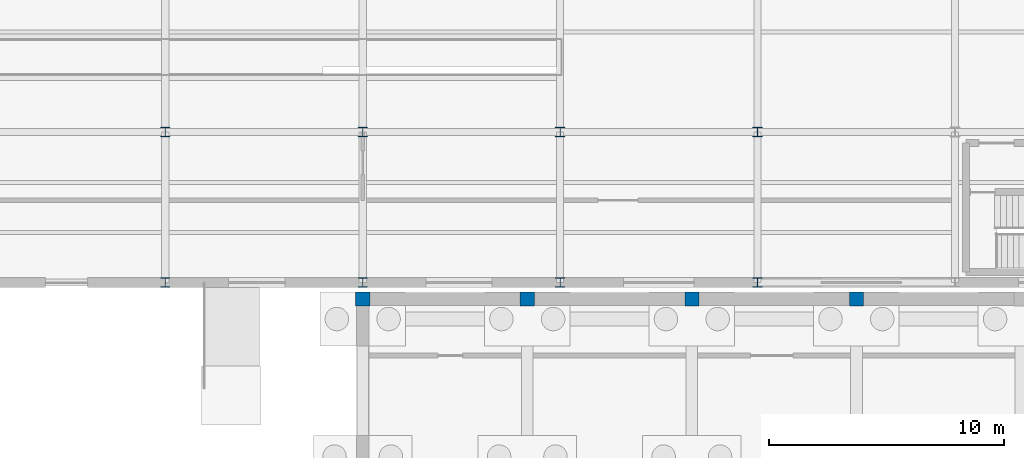
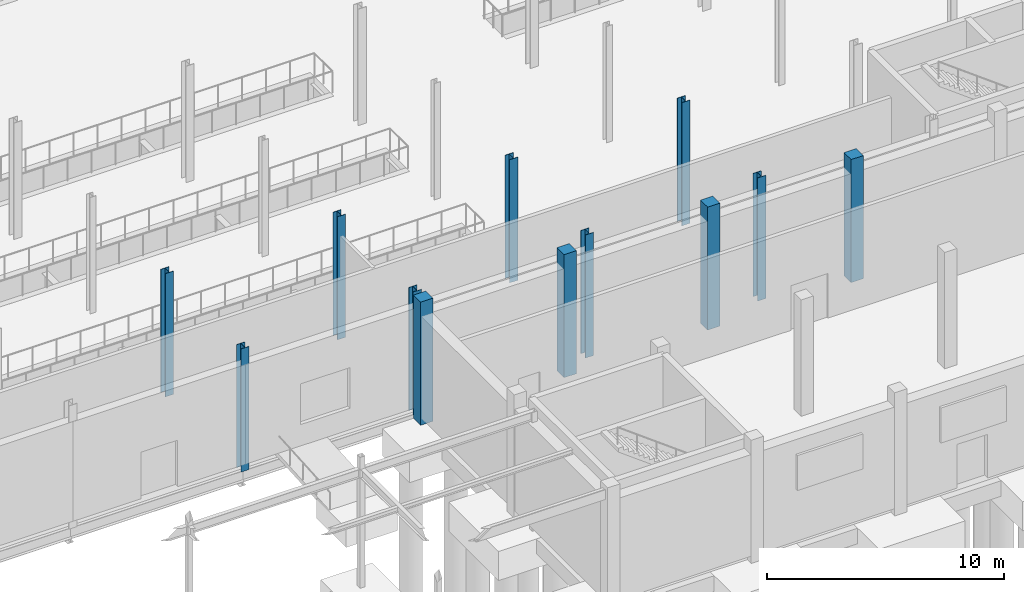
# One storey, part 18 of 139: 12 columns.
"""IFC4 building model written with IfcOpenShell, lengths in metres."""

import ifcopenshell
import ifcopenshell.guid

model = None  # the IFC model being written
_history = None  # IfcOwnerHistory: only IFC2X3 demands one
_inside = {}  # id of a spatial element -> (the spatial element, [elements in it])
_under = {}  # id of a project, library or spatial element -> (it, [spatial elements below it])
_declared = {}  # id of a project -> (the project, [libraries it declares])
_typed = {}  # id of a type object -> (the type object, [elements of that type])
_made_of = {}  # id of a material, layer set ... -> (it, [elements and type objects made of it])


def new_model(schema):
    """Start an empty IFC model of exactly this schema.

    Asked for "IFC4X3", IfcOpenShell would pick the latest addendum, in which some entities
    have other attributes; the version numbers below select the first issue.
    IFC2X3 requires an IfcOwnerHistory on every rooted entity: one is made here for all.
    """
    global model, _history
    if schema == "IFC4X3":
        model = ifcopenshell.file(schema_version=(4, 3, 0, 0))
    else:
        model = ifcopenshell.file(schema=schema)
    _inside.clear()
    _under.clear()
    _declared.clear()
    _typed.clear()
    _made_of.clear()
    _history = None
    if model.schema == "IFC2X3":
        org = make("IfcOrganization", Name="unknown")
        user = make(
            "IfcPersonAndOrganization",
            ThePerson=make("IfcPerson", FamilyName="unknown"),
            TheOrganization=org,
        )
        app = make(
            "IfcApplication",
            ApplicationDeveloper=org,
            Version="unknown",
            ApplicationFullName="unknown",
            ApplicationIdentifier="unknown",
        )
        _history = make(
            "IfcOwnerHistory",
            OwningUser=user,
            OwningApplication=app,
            ChangeAction="ADDED",
            CreationDate=0,
        )
    return model


def make(cls, **values):
    """One entity of the class cls with the attributes given. An attribute that is None is left unset."""
    return model.create_entity(
        cls, **{name: value for name, value in values.items() if value is not None}
    )


def rooted(cls, **values):
    """An entity with a GlobalId (a new one), such as an element, a storey or a relation."""
    return make(cls, GlobalId=ifcopenshell.guid.new(), OwnerHistory=_history, **values)


def si_unit(unit_type, name, prefix=None):
    """IfcSIUnit, for example si_unit("LENGTHUNIT", "METRE", prefix="MILLI")."""
    return make("IfcSIUnit", UnitType=unit_type, Prefix=prefix, Name=name)


def assignment(units):
    """IfcUnitAssignment: the units of a project."""
    return None if units is None else make("IfcUnitAssignment", Units=units)


def point(xyz):
    """IfcCartesianPoint."""
    return None if xyz is None else make("IfcCartesianPoint", Coordinates=xyz)


def direction(xyz):
    """IfcDirection."""
    return None if xyz is None else make("IfcDirection", DirectionRatios=xyz)


def frame(location, z_axis=None, x_axis=None):
    """IfcAxis2Placement3D, a coordinate frame: its origin and axes. An axis left out is left unset."""
    return make(
        "IfcAxis2Placement3D",
        Location=point(location),
        Axis=direction(z_axis),
        RefDirection=direction(x_axis),
    )


def frame_2d(location, x_axis=None):
    """IfcAxis2Placement2D, a coordinate frame in the plane: its origin and x axis."""
    return make(
        "IfcAxis2Placement2D", Location=point(location), RefDirection=direction(x_axis)
    )


def origin():
    """The frame at (0, 0, 0) with its axes left unset."""
    return frame((0.0, 0.0, 0.0))


def origin_2d():
    """The frame at (0, 0) in the plane with its x axis left unset."""
    return frame_2d((0.0, 0.0))


def place(relative_to, where):
    """IfcLocalPlacement: puts the frame where relative to a parent placement (None: the world)."""
    return make(
        "IfcLocalPlacement", PlacementRelTo=relative_to, RelativePlacement=where
    )


def context(
    kind, dimensions, precision=None, world=None, true_north=None, identifier=None
):
    """IfcGeometricRepresentationContext, for example the 3D "Model" context."""
    return make(
        "IfcGeometricRepresentationContext",
        ContextIdentifier=identifier,
        ContextType=kind,
        CoordinateSpaceDimension=dimensions,
        Precision=precision,
        WorldCoordinateSystem=world,
        TrueNorth=true_north,
    )


def subcontext(parent, identifier, kind, view, scale=None):
    """IfcGeometricRepresentationSubContext, for example "Body" below "Model"."""
    return make(
        "IfcGeometricRepresentationSubContext",
        ContextIdentifier=identifier,
        ContextType=kind,
        ParentContext=parent,
        TargetScale=scale,
        TargetView=view,
    )


def project(units=None, contexts=None):
    """IfcProject with its units and contexts."""
    return rooted(
        "IfcProject",
        Name="project",
        RepresentationContexts=contexts,
        UnitsInContext=assignment(units),
    )


def spatial(cls, under=None, at=None, **own):
    """A site, building, storey or space (cls), placed at a placement, below another one or the project."""
    s = rooted(cls, ObjectPlacement=at, **own)
    if under is not None:
        _under.setdefault(under.id(), (under, []))[1].append(s)
    return s


def profile(cls, at=None, kind="AREA", **sizes):
    """A parametric profile (cls). Its sizes go by their IFC names, for example OverallWidth=200.0."""
    return make(cls, ProfileType=kind, Position=at, **sizes)


def rectangle(**sizes):
    """IfcRectangleProfileDef."""
    return profile("IfcRectangleProfileDef", **sizes)


def i_section(**sizes):
    """IfcIShapeProfileDef."""
    return profile("IfcIShapeProfileDef", **sizes)


def extrude(swept, where, along, depth):
    """IfcExtrudedAreaSolid: the profile swept, set in the frame where, extruded along a direction by depth."""
    return make(
        "IfcExtrudedAreaSolid",
        SweptArea=swept,
        Position=where,
        ExtrudedDirection=direction(along),
        Depth=depth,
    )


def shape(context_of_items, identifier, shape_type, items):
    """IfcShapeRepresentation: the items that make up one representation, for example the "Body"."""
    return make(
        "IfcShapeRepresentation",
        ContextOfItems=context_of_items,
        RepresentationIdentifier=identifier,
        RepresentationType=shape_type,
        Items=items,
    )


def material(Name=None, Category=None):
    """IfcMaterial."""
    return make("IfcMaterial", Name=Name, Category=Category)


def material_profile(
    of_material, cross_section, Name=None, Category=None, Priority=None
):
    """IfcMaterialProfile: a cross section and its material."""
    return make(
        "IfcMaterialProfile",
        Name=Name,
        Material=of_material,
        Profile=cross_section,
        Priority=Priority,
        Category=Category,
    )


def profile_set(profiles, Name=None, composite=None):
    """IfcMaterialProfileSet."""
    return make(
        "IfcMaterialProfileSet",
        Name=Name,
        MaterialProfiles=profiles,
        CompositeProfile=composite,
    )


def made_of(thing, what):
    """Note that an element or type object is made of a material, layer set ...; save() writes the relation."""
    if what is not None:
        _made_of.setdefault(what.id(), (what, []))[1].append(thing)
    return thing


def type_object(cls, material=None, **own):
    """A type object (cls), such as IfcWallType, which elements share."""
    return made_of(rooted(cls, **own), material)


def element(
    cls,
    number,
    at=None,
    inside=None,
    cuts=None,
    type_object=None,
    material=None,
    context=None,
    identifier="Body",
    shape_type=None,
    held_by="IfcProductDefinitionShape",
    body=None,
    shapes=None,
    **own,
):
    """One element of the class cls, such as IfcWall. Its Tag is "e" and its number.

    at: its placement. inside: the storey or other place that contains it. cuts: it is an
    opening in that element (IfcRelVoidsElement). A single representation is given by context,
    identifier, shape_type and body (its items); several are given by shapes. held_by: the class
    of the entity that holds the representations. save() writes the other relations.
    """
    e = rooted(cls, Tag="e%d" % number, ObjectPlacement=at, **own)
    if body is not None:
        shapes = [shape(context, identifier, shape_type, body)]
    if shapes is not None:
        e.Representation = make(held_by, Representations=shapes)
    if inside is not None:
        _inside.setdefault(inside.id(), (inside, []))[1].append(e)
    if cuts is not None:
        rooted(
            "IfcRelVoidsElement", RelatingBuildingElement=cuts, RelatedOpeningElement=e
        )
    if type_object is not None:
        _typed.setdefault(type_object.id(), (type_object, []))[1].append(e)
    return made_of(e, material)


def aggregate(whole, parts):
    """IfcRelAggregates: a whole, such as a stair, and the parts it consists of."""
    return rooted("IfcRelAggregates", RelatingObject=whole, RelatedObjects=parts)


def save(model, path):
    """Write the relations noted so far, then the file.

    IfcRelAggregates (storeys below a building ...), IfcRelContainedInSpatialStructure (elements
    in a storey), IfcRelDefinesByType, IfcRelAssociatesMaterial and IfcRelDeclares: one each for
    every whole, place, type object, material and project.
    """
    for whole, parts in _under.values():
        aggregate(whole, parts)
    for where, things in _inside.values():
        rooted(
            "IfcRelContainedInSpatialStructure",
            RelatedElements=things,
            RelatingStructure=where,
        )
    for kind, things in _typed.values():
        rooted("IfcRelDefinesByType", RelatedObjects=things, RelatingType=kind)
    for what, things in _made_of.values():
        rooted("IfcRelAssociatesMaterial", RelatedObjects=things, RelatingMaterial=what)
    for by, libraries in _declared.values():
        rooted("IfcRelDeclares", RelatingContext=by, RelatedDefinitions=libraries)
    model.write(path)


model = new_model("IFC4")

# Units and contexts
model_context = context("Model", 3, precision=1e-05, world=origin(), true_north=direction((0.0, 1.0)))
body_context = subcontext(model_context, "Body", "Model", "MODEL_VIEW")
ifc_project = project(units=[si_unit("LENGTHUNIT", "METRE"), si_unit("AREAUNIT", "SQUARE_METRE"), si_unit("VOLUMEUNIT", "CUBIC_METRE"), si_unit("PLANEANGLEUNIT", "RADIAN"), si_unit("MASSUNIT", "GRAM", prefix="KILO")], contexts=[model_context])

# Site, building, storey
site_placement = place(None, origin())
site = spatial("IfcSite", under=ifc_project, at=site_placement, CompositionType="ELEMENT")
building_placement = place(site_placement, origin())
building = spatial("IfcBuilding", under=site, at=building_placement, Name="Kazenagashi Tramway Depot", CompositionType="ELEMENT")
storey_placement = place(building_placement, origin())
storey = spatial("IfcBuildingStorey", under=building, at=storey_placement, Name="L01", CompositionType="ELEMENT", Elevation=0.0)

# Columns
ifc_material_1 = material(Name="Concrete Fc36", Category="concrete")
ifc_material_profile_1 = material_profile(ifc_material_1, rectangle(XDim=0.6, YDim=0.6, at=origin_2d()), Name="RC-600x600")
ifc_profile_set_1 = profile_set([ifc_material_profile_1], Name="Concrete Fc36")
column_type_1 = type_object("IfcColumnType", Name="C-02", PredefinedType="COLUMN", material=ifc_profile_set_1)
for number, where, z_axis, x_axis, name in (
    (1, (103.6, 15.8, -0.35), (0.0, 0.0, 1.0), (1.0, 0.0, 0.0), "Column C-02 COL-0810"),
    (2, (110.6, 15.8, -0.35), (0.0, 0.0, 1.0), (1.0, 0.0, 0.0), "Column C-02 COL-0816"),
    (3, (117.6, 15.8, -0.35), (0.0, 0.0, 1.0), (1.0, 0.0, 0.0), "Column C-02 COL-0822"),
    (4, (124.6, 15.8, -0.35), (0.0, 0.0, 1.0), (1.0, 0.0, 0.0), "Column C-02 COL-0828"),
):
    element("IfcColumn", number, at=place(storey_placement, frame(where, z_axis=z_axis, x_axis=x_axis)), inside=storey, type_object=column_type_1, Name=name, PredefinedType="COLUMN", context=body_context, shape_type="SweptSolid", body=[
        extrude(rectangle(XDim=0.6, YDim=0.6, at=origin_2d()), origin(), (0.0, 0.0, 1.0), 6.35),
    ])
ifc_material_2 = material(Name="Steel SN490B", Category="steel")
ifc_material_profile_2 = material_profile(ifc_material_2, i_section(OverallWidth=0.4, OverallDepth=0.4, WebThickness=0.013, FlangeThickness=0.021, at=origin_2d()), Name="H-400x400x13x21")
ifc_profile_set_2 = profile_set([ifc_material_profile_2], Name="Steel SN490B")
column_type_2 = type_object("IfcColumnType", Name="C-03", PredefinedType="COLUMN", material=ifc_profile_set_2)
for number, where, z_axis, x_axis, name in (
    (5, (95.2, 16.5, -0.35), (0.0, 0.0, 1.0), (1.0, 0.0, 0.0), "Column C-03 COL-0246"),
    (6, (95.2, 22.9, -0.35), (0.0, 0.0, 1.0), (1.0, 0.0, 0.0), "Column C-03 COL-0250"),
    (7, (103.6, 16.5, -0.35), (0.0, 0.0, 1.0), (1.0, 0.0, 0.0), "Column C-03 COL-0263"),
    (8, (103.6, 22.9, -0.35), (0.0, 0.0, 1.0), (1.0, 0.0, 0.0), "Column C-03 COL-0267"),
    (9, (112.0, 16.5, -0.35), (0.0, 0.0, 1.0), (1.0, 0.0, 0.0), "Column C-03 COL-0280"),
    (10, (112.0, 22.9, -0.35), (0.0, 0.0, 1.0), (1.0, 0.0, 0.0), "Column C-03 COL-0284"),
    (11, (120.4, 16.5, -0.35), (0.0, 0.0, 1.0), (1.0, 0.0, 0.0), "Column C-03 COL-0297"),
    (12, (120.4, 22.9, -0.35), (0.0, 0.0, 1.0), (1.0, 0.0, 0.0), "Column C-03 COL-0301"),
):
    element("IfcColumn", number, at=place(storey_placement, frame(where, z_axis=z_axis, x_axis=x_axis)), inside=storey, type_object=column_type_2, Name=name, PredefinedType="COLUMN", context=body_context, shape_type="SweptSolid", body=[
        extrude(i_section(OverallWidth=0.4, OverallDepth=0.4, WebThickness=0.013, FlangeThickness=0.021, at=origin_2d()), origin(), (0.0, 0.0, 1.0), 6.35),
    ])

save(model, "model.ifc")
